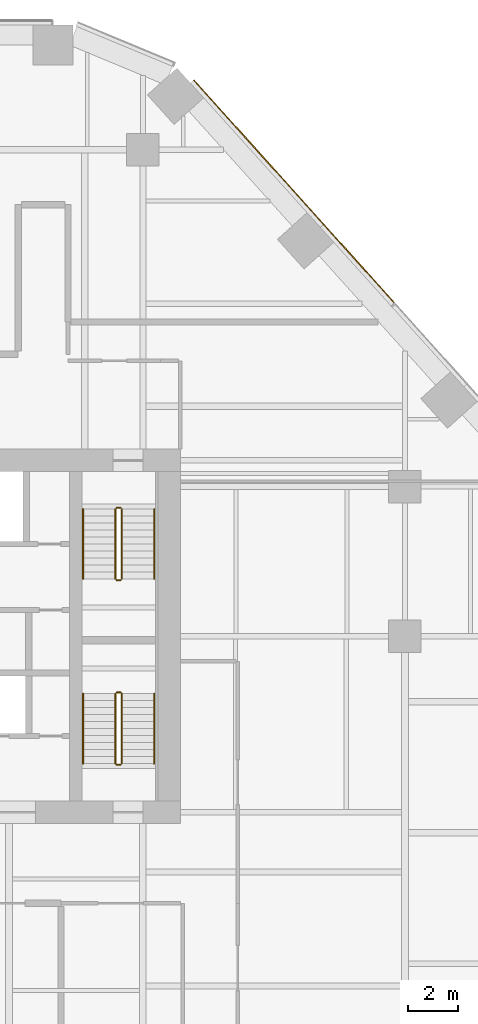
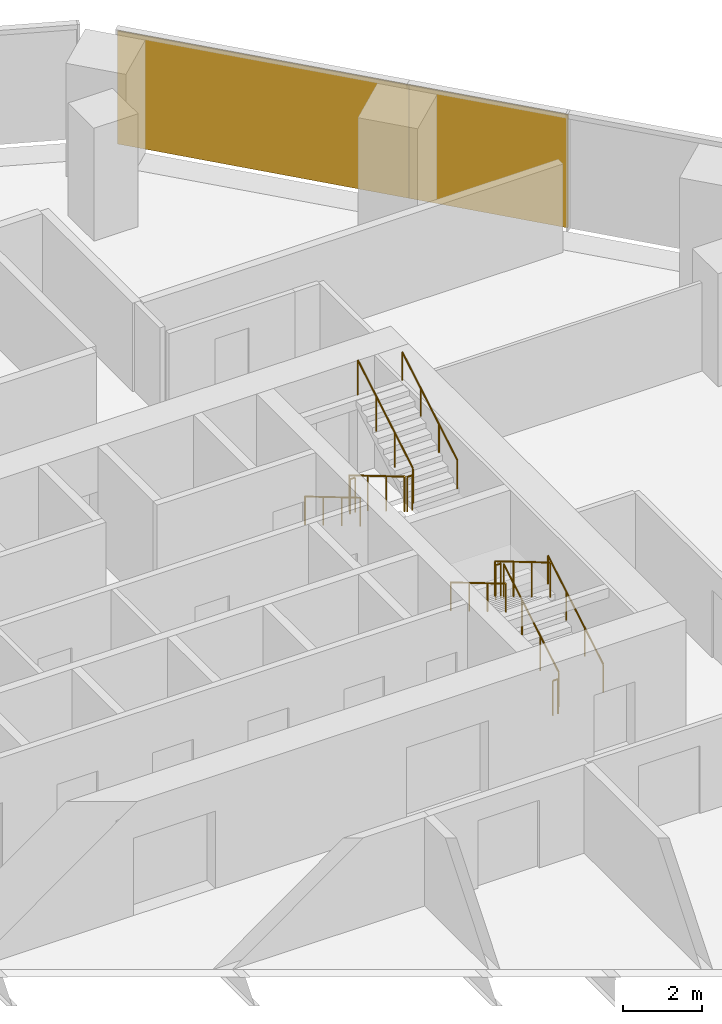
# One storey, part 20 of 21: 12 railings, 2 coverings, 1 element without a shape of its own.
"""IFC4 building model written with IfcOpenShell, lengths in metres."""

import ifcopenshell
import ifcopenshell.guid

model = None  # the IFC model being written
_history = None  # IfcOwnerHistory: only IFC2X3 demands one
_inside = {}  # id of a spatial element -> (the spatial element, [elements in it])
_under = {}  # id of a project, library or spatial element -> (it, [spatial elements below it])
_declared = {}  # id of a project -> (the project, [libraries it declares])
_typed = {}  # id of a type object -> (the type object, [elements of that type])
_made_of = {}  # id of a material, layer set ... -> (it, [elements and type objects made of it])


def new_model(schema):
    """Start an empty IFC model of exactly this schema.

    Asked for "IFC4X3", IfcOpenShell would pick the latest addendum, in which some entities
    have other attributes; the version numbers below select the first issue.
    IFC2X3 requires an IfcOwnerHistory on every rooted entity: one is made here for all.
    """
    global model, _history
    if schema == "IFC4X3":
        model = ifcopenshell.file(schema_version=(4, 3, 0, 0))
    else:
        model = ifcopenshell.file(schema=schema)
    _inside.clear()
    _under.clear()
    _declared.clear()
    _typed.clear()
    _made_of.clear()
    _history = None
    if model.schema == "IFC2X3":
        org = make("IfcOrganization", Name="unknown")
        user = make(
            "IfcPersonAndOrganization",
            ThePerson=make("IfcPerson", FamilyName="unknown"),
            TheOrganization=org,
        )
        app = make(
            "IfcApplication",
            ApplicationDeveloper=org,
            Version="unknown",
            ApplicationFullName="unknown",
            ApplicationIdentifier="unknown",
        )
        _history = make(
            "IfcOwnerHistory",
            OwningUser=user,
            OwningApplication=app,
            ChangeAction="ADDED",
            CreationDate=0,
        )
    return model


def make(cls, **values):
    """One entity of the class cls with the attributes given. An attribute that is None is left unset."""
    return model.create_entity(
        cls, **{name: value for name, value in values.items() if value is not None}
    )


def rooted(cls, **values):
    """An entity with a GlobalId (a new one), such as an element, a storey or a relation."""
    return make(cls, GlobalId=ifcopenshell.guid.new(), OwnerHistory=_history, **values)


def si_unit(unit_type, name, prefix=None):
    """IfcSIUnit, for example si_unit("LENGTHUNIT", "METRE", prefix="MILLI")."""
    return make("IfcSIUnit", UnitType=unit_type, Prefix=prefix, Name=name)


def assignment(units):
    """IfcUnitAssignment: the units of a project."""
    return None if units is None else make("IfcUnitAssignment", Units=units)


def point(xyz):
    """IfcCartesianPoint."""
    return None if xyz is None else make("IfcCartesianPoint", Coordinates=xyz)


def direction(xyz):
    """IfcDirection."""
    return None if xyz is None else make("IfcDirection", DirectionRatios=xyz)


def frame(location, z_axis=None, x_axis=None):
    """IfcAxis2Placement3D, a coordinate frame: its origin and axes. An axis left out is left unset."""
    return make(
        "IfcAxis2Placement3D",
        Location=point(location),
        Axis=direction(z_axis),
        RefDirection=direction(x_axis),
    )


def frame_2d(location, x_axis=None):
    """IfcAxis2Placement2D, a coordinate frame in the plane: its origin and x axis."""
    return make(
        "IfcAxis2Placement2D", Location=point(location), RefDirection=direction(x_axis)
    )


def origin():
    """The frame at (0, 0, 0) with its axes left unset."""
    return frame((0.0, 0.0, 0.0))


def origin_2d():
    """The frame at (0, 0) in the plane with its x axis left unset."""
    return frame_2d((0.0, 0.0))


def place(relative_to, where):
    """IfcLocalPlacement: puts the frame where relative to a parent placement (None: the world)."""
    return make(
        "IfcLocalPlacement", PlacementRelTo=relative_to, RelativePlacement=where
    )


def context(
    kind, dimensions, precision=None, world=None, true_north=None, identifier=None
):
    """IfcGeometricRepresentationContext, for example the 3D "Model" context."""
    return make(
        "IfcGeometricRepresentationContext",
        ContextIdentifier=identifier,
        ContextType=kind,
        CoordinateSpaceDimension=dimensions,
        Precision=precision,
        WorldCoordinateSystem=world,
        TrueNorth=true_north,
    )


def subcontext(parent, identifier, kind, view, scale=None):
    """IfcGeometricRepresentationSubContext, for example "Body" below "Model"."""
    return make(
        "IfcGeometricRepresentationSubContext",
        ContextIdentifier=identifier,
        ContextType=kind,
        ParentContext=parent,
        TargetScale=scale,
        TargetView=view,
    )


def project(units=None, contexts=None):
    """IfcProject with its units and contexts."""
    return rooted(
        "IfcProject",
        Name="project",
        RepresentationContexts=contexts,
        UnitsInContext=assignment(units),
    )


def spatial(cls, under=None, at=None, **own):
    """A site, building, storey or space (cls), placed at a placement, below another one or the project."""
    s = rooted(cls, ObjectPlacement=at, **own)
    if under is not None:
        _under.setdefault(under.id(), (under, []))[1].append(s)
    return s


def profile(cls, at=None, kind="AREA", **sizes):
    """A parametric profile (cls). Its sizes go by their IFC names, for example OverallWidth=200.0."""
    return make(cls, ProfileType=kind, Position=at, **sizes)


def rectangle(**sizes):
    """IfcRectangleProfileDef."""
    return profile("IfcRectangleProfileDef", **sizes)


def circle(**sizes):
    """IfcCircleProfileDef."""
    return profile("IfcCircleProfileDef", **sizes)


def extrude(swept, where, along, depth):
    """IfcExtrudedAreaSolid: the profile swept, set in the frame where, extruded along a direction by depth."""
    return make(
        "IfcExtrudedAreaSolid",
        SweptArea=swept,
        Position=where,
        ExtrudedDirection=direction(along),
        Depth=depth,
    )


def shape(context_of_items, identifier, shape_type, items):
    """IfcShapeRepresentation: the items that make up one representation, for example the "Body"."""
    return make(
        "IfcShapeRepresentation",
        ContextOfItems=context_of_items,
        RepresentationIdentifier=identifier,
        RepresentationType=shape_type,
        Items=items,
    )


def material(Name=None, Category=None):
    """IfcMaterial."""
    return make("IfcMaterial", Name=Name, Category=Category)


def layer(
    of_material, thickness, ventilated=None, Name=None, Category=None, Priority=None
):
    """IfcMaterialLayer: one layer of a wall or slab, of a material (None: an air gap)."""
    return make(
        "IfcMaterialLayer",
        Material=of_material,
        LayerThickness=thickness,
        IsVentilated=ventilated,
        Name=Name,
        Category=Category,
        Priority=Priority,
    )


def layer_set(layers, Name=None):
    """IfcMaterialLayerSet."""
    return make("IfcMaterialLayerSet", MaterialLayers=layers, LayerSetName=Name)


def made_of(thing, what):
    """Note that an element or type object is made of a material, layer set ...; save() writes the relation."""
    if what is not None:
        _made_of.setdefault(what.id(), (what, []))[1].append(thing)
    return thing


def type_object(cls, material=None, **own):
    """A type object (cls), such as IfcWallType, which elements share."""
    return made_of(rooted(cls, **own), material)


def element(
    cls,
    number,
    at=None,
    inside=None,
    cuts=None,
    type_object=None,
    material=None,
    context=None,
    identifier="Body",
    shape_type=None,
    held_by="IfcProductDefinitionShape",
    body=None,
    shapes=None,
    **own,
):
    """One element of the class cls, such as IfcWall. Its Tag is "e" and its number.

    at: its placement. inside: the storey or other place that contains it. cuts: it is an
    opening in that element (IfcRelVoidsElement). A single representation is given by context,
    identifier, shape_type and body (its items); several are given by shapes. held_by: the class
    of the entity that holds the representations. save() writes the other relations.
    """
    e = rooted(cls, Tag="e%d" % number, ObjectPlacement=at, **own)
    if body is not None:
        shapes = [shape(context, identifier, shape_type, body)]
    if shapes is not None:
        e.Representation = make(held_by, Representations=shapes)
    if inside is not None:
        _inside.setdefault(inside.id(), (inside, []))[1].append(e)
    if cuts is not None:
        rooted(
            "IfcRelVoidsElement", RelatingBuildingElement=cuts, RelatedOpeningElement=e
        )
    if type_object is not None:
        _typed.setdefault(type_object.id(), (type_object, []))[1].append(e)
    return made_of(e, material)


def aggregate(whole, parts):
    """IfcRelAggregates: a whole, such as a stair, and the parts it consists of."""
    return rooted("IfcRelAggregates", RelatingObject=whole, RelatedObjects=parts)


def save(model, path):
    """Write the relations noted so far, then the file.

    IfcRelAggregates (storeys below a building ...), IfcRelContainedInSpatialStructure (elements
    in a storey), IfcRelDefinesByType, IfcRelAssociatesMaterial and IfcRelDeclares: one each for
    every whole, place, type object, material and project.
    """
    for whole, parts in _under.values():
        aggregate(whole, parts)
    for where, things in _inside.values():
        rooted(
            "IfcRelContainedInSpatialStructure",
            RelatedElements=things,
            RelatingStructure=where,
        )
    for kind, things in _typed.values():
        rooted("IfcRelDefinesByType", RelatedObjects=things, RelatingType=kind)
    for what, things in _made_of.values():
        rooted("IfcRelAssociatesMaterial", RelatedObjects=things, RelatingMaterial=what)
    for by, libraries in _declared.values():
        rooted("IfcRelDeclares", RelatingContext=by, RelatedDefinitions=libraries)
    model.write(path)


model = new_model("IFC4")

# Units and contexts
model_context = context("Model", 3, precision=1e-05, world=origin(), true_north=direction((0.0, 1.0)))
body_context = subcontext(model_context, "Body", "Model", "MODEL_VIEW")
ifc_project = project(units=[si_unit("LENGTHUNIT", "METRE"), si_unit("AREAUNIT", "SQUARE_METRE"), si_unit("VOLUMEUNIT", "CUBIC_METRE"), si_unit("PLANEANGLEUNIT", "RADIAN"), si_unit("MASSUNIT", "GRAM", prefix="KILO")], contexts=[model_context])

# Site, building, storey
site_placement = place(None, origin())
site = spatial("IfcSite", under=ifc_project, at=site_placement, CompositionType="ELEMENT")
building_placement = place(site_placement, origin())
building = spatial("IfcBuilding", under=site, at=building_placement, Name="Isthmus Gate Tower", CompositionType="ELEMENT")
storey_placement = place(building_placement, frame((0.0, 0.0, 102.550048828125)))
storey = spatial("IfcBuildingStorey", under=building, at=storey_placement, Name="L24", CompositionType="ELEMENT", Elevation=102.550048828125)

# Curtain wall, coverings
ifc_material_1 = material(Name="Aluminium, pale champagne anodised", Category="aluminium")
ifc_layer_1 = layer(ifc_material_1, 0.199951171875)
ifc_layer_set_1 = layer_set([ifc_layer_1], Name="CW-1 UNITISED CURTAIN WALL 200 DEEP")
curtain_wall_type = type_object("IfcCurtainWallType", Name="CW-1 UNITISED CURTAIN WALL 200 DEEP", PredefinedType="NOTDEFINED", material=ifc_layer_set_1)
curtain_wall_placement = place(storey_placement, origin())
curtain_wall = element("IfcCurtainWall", 1, at=curtain_wall_placement, inside=storey, type_object=curtain_wall_type, Name="CW-1 NE L24", PredefinedType="NOTDEFINED")
ifc_material_2 = material(Name="Aluminium composite panel, pale champagne anodised", Category="aluminium")
ifc_layer_2 = layer(ifc_material_2, 0.0400390625)
ifc_layer_set_2 = layer_set([ifc_layer_2], Name="CW-1 PALE METAL PANEL 40")
covering_type = type_object("IfcCoveringType", Name="CW-1 PALE METAL PANEL 40", PredefinedType="CLADDING", material=ifc_layer_set_2)
covering_1_placement = place(storey_placement, frame((22.1630859375, 22.4326171875, 0.0), z_axis=(0.0, 0.0, 1.0), x_axis=(-0.669130606359, 0.743144825477, 0.0)))
covering_1 = element("IfcCovering", 2, at=covering_1_placement, type_object=covering_type, Name="CW-1 pale metal panel", PredefinedType="CLADDING", context=body_context, shape_type="SweptSolid", body=[
    extrude(rectangle(XDim=4.234619140625, YDim=0.0400390625, at=origin_2d()), origin(), (0.0, 0.0, 1.0), 3.5),
])
covering_2_placement = place(storey_placement, frame((18.14013671875, 26.900390625, 0.0), z_axis=(0.0, 0.0, 1.0), x_axis=(-0.669130606359, 0.743144825477, 0.0)))
covering_2 = element("IfcCovering", 3, at=covering_2_placement, type_object=covering_type, Name="CW-1 pale metal panel", PredefinedType="CLADDING", context=body_context, shape_type="SweptSolid", body=[
    extrude(rectangle(XDim=7.789306640625, YDim=0.0400390625, at=origin_2d()), origin(), (0.0, 0.0, 1.0), 3.5),
])
aggregate(curtain_wall, [covering_1, covering_2])

# Railings
ifc_material_3 = material(Name="Stainless steel balustrade", Category="steel")
railing_type_1 = type_object("IfcRailingType", Name="STAIR GUARD 1100", PredefinedType="GUARDRAIL", material=ifc_material_3)
railing_1_placement = place(storey_placement, frame((12.39990234375, 12.60009765625, 0.165771484375)))
element("IfcRailing", 4, at=railing_1_placement, inside=storey, type_object=railing_type_1, Name="L24 ST2 stair guard 1", PredefinedType="GUARDRAIL", context=body_context, shape_type="SweptSolid", body=[
    extrude(circle(Radius=0.02392578125, at=origin_2d()), frame((0.0, 0.0, 1.076171875), z_axis=(0.0, -0.860306154799, 0.50977771628), x_axis=(1.0, 0.0, 0.0)), (0.0, 0.0, 1.0), 3.254638671875),
    extrude(circle(Radius=0.02099609375, at=origin_2d()), origin(), (0.0, 0.0, 1.0), 1.052001953125),
    extrude(circle(Radius=0.02099609375, at=origin_2d()), frame((0.0, -0.933349609375, 0.552978515625)), (0.0, 0.0, 1.0), 1.052001953125),
    extrude(circle(Radius=0.02099609375, at=origin_2d()), frame((0.0, -1.86669921875, 1.106201171875)), (0.0, 0.0, 1.0), 1.052001953125),
    extrude(circle(Radius=0.02099609375, at=origin_2d()), frame((0.0, -2.800048828125, 1.6591796875)), (0.0, 0.0, 1.0), 1.052001953125),
])
railing_2_placement = place(storey_placement, frame((12.449951171875, 9.75, 1.824951171875)))
element("IfcRailing", 5, at=railing_2_placement, inside=storey, type_object=railing_type_1, Name="L24 ST2 stair guard 2", PredefinedType="GUARDRAIL", context=body_context, shape_type="SweptSolid", body=[
    extrude(circle(Radius=0.02392578125, at=origin_2d()), frame((0.0, 0.0, 1.076171875), z_axis=(1.0, 0.0, 0.0), x_axis=(0.0, 1.0, 0.0)), (0.0, 0.0, 1.0), 0.150146484375),
    extrude(circle(Radius=0.02099609375, at=origin_2d()), origin(), (0.0, 0.0, 1.0), 1.052001953125),
    extrude(circle(Radius=0.02099609375, at=origin_2d()), frame((0.150146484375, 0.0, 0.0)), (0.0, 0.0, 1.0), 1.052001953125),
])
railing_3_placement = place(storey_placement, frame((12.64990234375, 9.800048828125, 1.990966796875)))
element("IfcRailing", 6, at=railing_3_placement, inside=storey, type_object=railing_type_1, Name="L24 ST2 stair guard 3", PredefinedType="GUARDRAIL", context=body_context, shape_type="SweptSolid", body=[
    extrude(circle(Radius=0.02392578125, at=origin_2d()), frame((0.0, 0.0, 1.076171875), z_axis=(0.0, 0.860339051648, 0.50972219513), x_axis=(-1.0, 0.0, 0.0)), (0.0, 0.0, 1.0), 3.254638671875),
    extrude(circle(Radius=0.02099609375, at=origin_2d()), origin(), (0.0, 0.0, 1.0), 1.052001953125),
    extrude(circle(Radius=0.02099609375, at=origin_2d()), frame((0.0, 0.933349609375, 0.552978515625)), (0.0, 0.0, 1.0), 1.052001953125),
    extrude(circle(Radius=0.02099609375, at=origin_2d()), frame((0.0, 1.86669921875, 1.10595703125)), (0.0, 0.0, 1.0), 1.052001953125),
    extrude(circle(Radius=0.02099609375, at=origin_2d()), frame((0.0, 2.800048828125, 1.658935546875)), (0.0, 0.0, 1.0), 1.052001953125),
])
railing_4_placement = place(storey_placement, frame((12.449951171875, 12.64990234375, 0.0)))
element("IfcRailing", 7, at=railing_4_placement, inside=storey, type_object=railing_type_1, Name="L24 ST2 stair guard 4", PredefinedType="GUARDRAIL", context=body_context, shape_type="SweptSolid", body=[
    extrude(circle(Radius=0.02392578125, at=origin_2d()), frame((0.0, 0.0, 1.076171875), z_axis=(1.0, 0.0, 0.0), x_axis=(0.0, 1.0, 0.0)), (0.0, 0.0, 1.0), 0.150146484375),
    extrude(circle(Radius=0.02099609375, at=origin_2d()), origin(), (0.0, 0.0, 1.0), 1.052001953125),
    extrude(circle(Radius=0.02099609375, at=origin_2d()), frame((0.150146484375, 0.0, 0.0)), (0.0, 0.0, 1.0), 1.052001953125),
])
railing_5_placement = place(storey_placement, frame((12.64990234375, 2.39990234375, 0.165771484375)))
element("IfcRailing", 8, at=railing_5_placement, inside=storey, type_object=railing_type_1, Name="L24 ST8 stair guard 1", PredefinedType="GUARDRAIL", context=body_context, shape_type="SweptSolid", body=[
    extrude(circle(Radius=0.02392578125, at=origin_2d()), frame((0.0, 0.0, 1.076171875), z_axis=(0.0, 0.860306154799, 0.50977771628), x_axis=(-1.0, 0.0, 0.0)), (0.0, 0.0, 1.0), 3.254638671875),
    extrude(circle(Radius=0.02099609375, at=origin_2d()), origin(), (0.0, 0.0, 1.0), 1.052001953125),
    extrude(circle(Radius=0.02099609375, at=origin_2d()), frame((0.0, 0.933349609375, 0.552978515625)), (0.0, 0.0, 1.0), 1.052001953125),
    extrude(circle(Radius=0.02099609375, at=origin_2d()), frame((0.0, 1.86669921875, 1.106201171875)), (0.0, 0.0, 1.0), 1.052001953125),
    extrude(circle(Radius=0.02099609375, at=origin_2d()), frame((0.0, 2.800048828125, 1.6591796875)), (0.0, 0.0, 1.0), 1.052001953125),
])
railing_6_placement = place(storey_placement, frame((12.60009765625, 5.25, 1.824951171875)))
element("IfcRailing", 9, at=railing_6_placement, inside=storey, type_object=railing_type_1, Name="L24 ST8 stair guard 2", PredefinedType="GUARDRAIL", context=body_context, shape_type="SweptSolid", body=[
    extrude(circle(Radius=0.02392578125, at=origin_2d()), frame((0.0, 0.0, 1.076171875), z_axis=(-1.0, 0.0, 0.0), x_axis=(0.0, -1.0, 0.0)), (0.0, 0.0, 1.0), 0.150146484375),
    extrude(circle(Radius=0.02099609375, at=origin_2d()), origin(), (0.0, 0.0, 1.0), 1.052001953125),
    extrude(circle(Radius=0.02099609375, at=origin_2d()), frame((-0.150146484375, 0.0, 0.0)), (0.0, 0.0, 1.0), 1.052001953125),
])
railing_7_placement = place(storey_placement, frame((12.39990234375, 5.199951171875, 1.990966796875)))
element("IfcRailing", 10, at=railing_7_placement, inside=storey, type_object=railing_type_1, Name="L24 ST8 stair guard 3", PredefinedType="GUARDRAIL", context=body_context, shape_type="SweptSolid", body=[
    extrude(circle(Radius=0.02392578125, at=origin_2d()), frame((0.0, 0.0, 1.076171875), z_axis=(0.0, -0.860339051648, 0.50972219513), x_axis=(1.0, 0.0, 0.0)), (0.0, 0.0, 1.0), 3.254638671875),
    extrude(circle(Radius=0.02099609375, at=origin_2d()), origin(), (0.0, 0.0, 1.0), 1.052001953125),
    extrude(circle(Radius=0.02099609375, at=origin_2d()), frame((0.0, -0.933349609375, 0.552978515625)), (0.0, 0.0, 1.0), 1.052001953125),
    extrude(circle(Radius=0.02099609375, at=origin_2d()), frame((0.0, -1.86669921875, 1.10595703125)), (0.0, 0.0, 1.0), 1.052001953125),
    extrude(circle(Radius=0.02099609375, at=origin_2d()), frame((0.0, -2.800048828125, 1.658935546875)), (0.0, 0.0, 1.0), 1.052001953125),
])
railing_8_placement = place(storey_placement, frame((12.60009765625, 2.35009765625, 0.0)))
element("IfcRailing", 11, at=railing_8_placement, inside=storey, type_object=railing_type_1, Name="L24 ST8 stair guard 4", PredefinedType="GUARDRAIL", context=body_context, shape_type="SweptSolid", body=[
    extrude(circle(Radius=0.02392578125, at=origin_2d()), frame((0.0, 0.0, 1.076171875), z_axis=(-1.0, 0.0, 0.0), x_axis=(0.0, -1.0, 0.0)), (0.0, 0.0, 1.0), 0.150146484375),
    extrude(circle(Radius=0.02099609375, at=origin_2d()), origin(), (0.0, 0.0, 1.0), 1.052001953125),
    extrude(circle(Radius=0.02099609375, at=origin_2d()), frame((-0.150146484375, 0.0, 0.0)), (0.0, 0.0, 1.0), 1.052001953125),
])
ifc_material_4 = material(Name="Stainless steel handrail", Category="steel")
railing_type_2 = type_object("IfcRailingType", Name="STAIR HANDRAIL 900", PredefinedType="HANDRAIL", material=ifc_material_4)
railing_9_placement = place(storey_placement, frame((11.10009765625, 12.60009765625, 0.165771484375)))
element("IfcRailing", 12, at=railing_9_placement, inside=storey, type_object=railing_type_2, Name="L24 ST2 stair handrail 1", PredefinedType="HANDRAIL", context=body_context, shape_type="SweptSolid", body=[
    extrude(circle(Radius=0.02392578125, at=origin_2d()), frame((0.0, 0.0, 0.8759765625), z_axis=(0.0, -0.860306154799, 0.50977771628), x_axis=(1.0, 0.0, 0.0)), (0.0, 0.0, 1.0), 3.254638671875),
    extrude(circle(Radius=0.02099609375, at=origin_2d()), origin(), (0.0, 0.0, 1.0), 0.851806640625),
    extrude(circle(Radius=0.02099609375, at=origin_2d()), frame((0.0, -0.933349609375, 0.552978515625)), (0.0, 0.0, 1.0), 0.851806640625),
    extrude(circle(Radius=0.02099609375, at=origin_2d()), frame((0.0, -1.86669921875, 1.106201171875)), (0.0, 0.0, 1.0), 0.851806640625),
    extrude(circle(Radius=0.02099609375, at=origin_2d()), frame((0.0, -2.800048828125, 1.6591796875)), (0.0, 0.0, 1.0), 0.851806640625),
])
railing_10_placement = place(storey_placement, frame((13.949951171875, 9.800048828125, 1.990966796875)))
element("IfcRailing", 13, at=railing_10_placement, inside=storey, type_object=railing_type_2, Name="L24 ST2 stair handrail 2", PredefinedType="HANDRAIL", context=body_context, shape_type="SweptSolid", body=[
    extrude(circle(Radius=0.02392578125, at=origin_2d()), frame((0.0, 0.0, 0.8759765625), z_axis=(0.0, 0.860339051648, 0.50972219513), x_axis=(-1.0, 0.0, 0.0)), (0.0, 0.0, 1.0), 3.254638671875),
    extrude(circle(Radius=0.02099609375, at=origin_2d()), origin(), (0.0, 0.0, 1.0), 0.851806640625),
    extrude(circle(Radius=0.02099609375, at=origin_2d()), frame((0.0, 0.933349609375, 0.552978515625)), (0.0, 0.0, 1.0), 0.851806640625),
    extrude(circle(Radius=0.02099609375, at=origin_2d()), frame((0.0, 1.86669921875, 1.10595703125)), (0.0, 0.0, 1.0), 0.851806640625),
    extrude(circle(Radius=0.02099609375, at=origin_2d()), frame((0.0, 2.800048828125, 1.658935546875)), (0.0, 0.0, 1.0), 0.851806640625),
])
railing_11_placement = place(storey_placement, frame((13.949951171875, 2.39990234375, 0.165771484375)))
element("IfcRailing", 14, at=railing_11_placement, inside=storey, type_object=railing_type_2, Name="L24 ST8 stair handrail 1", PredefinedType="HANDRAIL", context=body_context, shape_type="SweptSolid", body=[
    extrude(circle(Radius=0.02392578125, at=origin_2d()), frame((0.0, 0.0, 0.8759765625), z_axis=(0.0, 0.860306154799, 0.50977771628), x_axis=(-1.0, 0.0, 0.0)), (0.0, 0.0, 1.0), 3.254638671875),
    extrude(circle(Radius=0.02099609375, at=origin_2d()), origin(), (0.0, 0.0, 1.0), 0.851806640625),
    extrude(circle(Radius=0.02099609375, at=origin_2d()), frame((0.0, 0.933349609375, 0.552978515625)), (0.0, 0.0, 1.0), 0.851806640625),
    extrude(circle(Radius=0.02099609375, at=origin_2d()), frame((0.0, 1.86669921875, 1.106201171875)), (0.0, 0.0, 1.0), 0.851806640625),
    extrude(circle(Radius=0.02099609375, at=origin_2d()), frame((0.0, 2.800048828125, 1.6591796875)), (0.0, 0.0, 1.0), 0.851806640625),
])
railing_12_placement = place(storey_placement, frame((11.10009765625, 5.199951171875, 1.990966796875)))
element("IfcRailing", 15, at=railing_12_placement, inside=storey, type_object=railing_type_2, Name="L24 ST8 stair handrail 2", PredefinedType="HANDRAIL", context=body_context, shape_type="SweptSolid", body=[
    extrude(circle(Radius=0.02392578125, at=origin_2d()), frame((0.0, 0.0, 0.8759765625), z_axis=(0.0, -0.860339051648, 0.50972219513), x_axis=(1.0, 0.0, 0.0)), (0.0, 0.0, 1.0), 3.254638671875),
    extrude(circle(Radius=0.02099609375, at=origin_2d()), origin(), (0.0, 0.0, 1.0), 0.851806640625),
    extrude(circle(Radius=0.02099609375, at=origin_2d()), frame((0.0, -0.933349609375, 0.552978515625)), (0.0, 0.0, 1.0), 0.851806640625),
    extrude(circle(Radius=0.02099609375, at=origin_2d()), frame((0.0, -1.86669921875, 1.10595703125)), (0.0, 0.0, 1.0), 0.851806640625),
    extrude(circle(Radius=0.02099609375, at=origin_2d()), frame((0.0, -2.800048828125, 1.658935546875)), (0.0, 0.0, 1.0), 0.851806640625),
])

save(model, "model.ifc")
